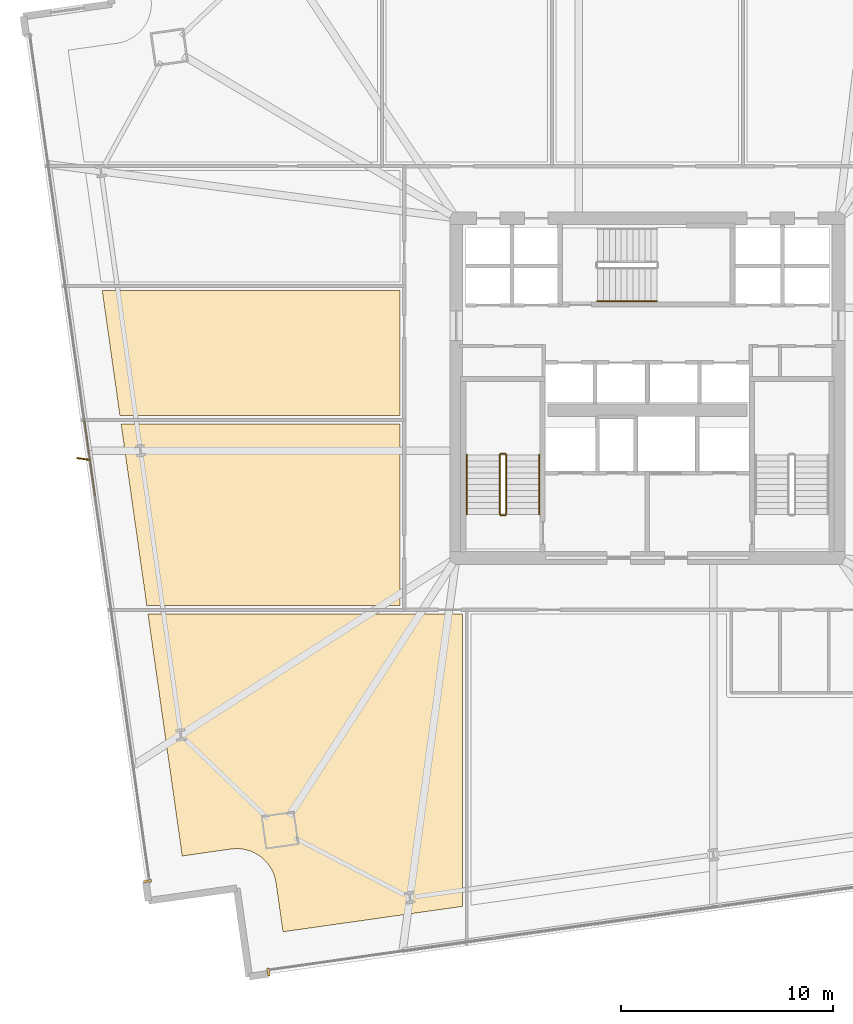
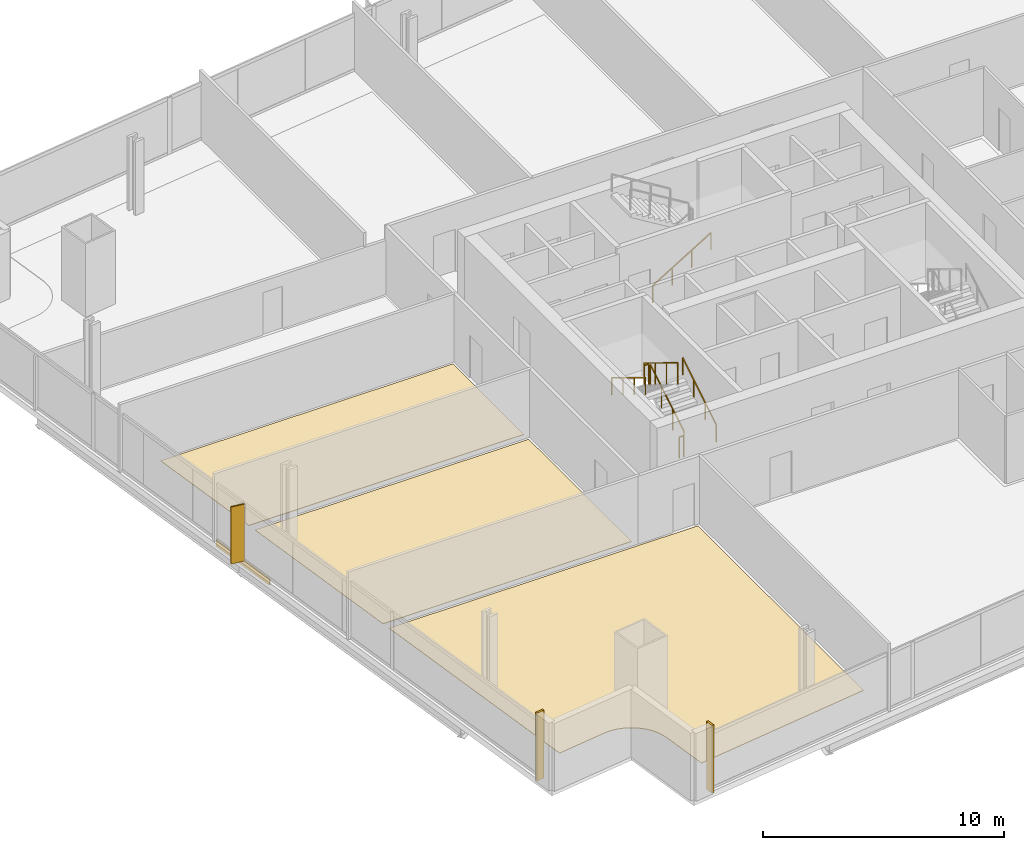
# One storey, part 29 of 33: 7 railings, 6 coverings, 1 shading device.
"""IFC4 building model written with IfcOpenShell, lengths in metres."""

from ifc_helpers import new_model, si_unit, direction, frame, origin, origin_2d, place, context, subcontext, project, spatial, polyline, rectangle, outline, extrude, source, transform, mapped, material, layer, layer_set, type_object, element, save


model = new_model("IFC4")

# Units and contexts
model_context = context("Model", 3, precision=1e-05, world=origin(), true_north=direction((0.0, 1.0)))
body_context = subcontext(model_context, "Body", "Model", "MODEL_VIEW")
ifc_project = project(units=[si_unit("LENGTHUNIT", "METRE"), si_unit("AREAUNIT", "SQUARE_METRE"), si_unit("VOLUMEUNIT", "CUBIC_METRE"), si_unit("PLANEANGLEUNIT", "RADIAN"), si_unit("MASSUNIT", "GRAM", prefix="KILO")], contexts=[model_context])

# Site, building, storey
site_placement = place(None, origin())
site = spatial("IfcSite", under=ifc_project, at=site_placement, CompositionType="ELEMENT")
building_placement = place(site_placement, origin())
building = spatial("IfcBuilding", under=site, at=building_placement, Name="Haldenkirk Collegiate Tower", CompositionType="ELEMENT")
storey_placement = place(building_placement, frame((0.0, 0.0, 55.199951171875)))
storey = spatial("IfcBuildingStorey", under=building, at=storey_placement, Name="L12", CompositionType="ELEMENT", Elevation=55.199951171875)

# Coverings
ifc_material_1 = material(Name="Polished collegiate terrazzo", Category="concrete")
ifc_layer_1 = layer(ifc_material_1, 0.02490234375)
ifc_layer_set_1 = layer_set([ifc_layer_1], Name="Polished collegiate terrazzo")
covering_type_1 = type_object("IfcCoveringType", Name="COV-FLOOR-TERRAZZO", PredefinedType="FLOORING", material=ifc_layer_set_1)
covering_1_placement = place(storey_placement, origin())
element("IfcCovering", 1, at=covering_1_placement, inside=storey, type_object=covering_type_1, Name="L12 academic room finish 02", PredefinedType="FLOORING", context=body_context, shape_type="SweptSolid", body=[
    extrude(outline(polyline([(18.17236328125, 3.533203125), (18.165283203125, 3.542724609375), (18.057373046875, 3.67626953125), (18.049560546875, 3.68505859375), (17.928955078125, 3.807373046875), (17.920166015625, 3.8154296875), (17.7880859375, 3.92529296875), (17.77880859375, 3.93212890625), (17.63671875, 4.028564453125), (17.626708984375, 4.03466796875), (17.4755859375, 4.11669921875), (17.465087890625, 4.121826171875), (17.306884765625, 4.188720703125), (17.2958984375, 4.192626953125), (17.1318359375, 4.24365234375), (17.120361328125, 4.24658203125), (16.9521484375, 4.28125), (16.940673828125, 4.282958984375), (16.769775390625, 4.301025390625), (16.758056640625, 4.3017578125), (16.586181640625, 4.302734375), (16.574462890625, 4.30224609375), (16.403564453125, 4.28662109375), (16.397705078125, 4.285888671875), (14.090576171875, 3.959716796875), (12.479736328125, 15.35009765625), (27.300048828125, 15.35009765625), (27.300048828125, 1.586181640625), (18.83740234375, 0.38916015625), (18.510986328125, 2.6962890625), (18.510009765625, 2.701904296875), (18.477783203125, 2.87060546875), (18.47509765625, 2.882080078125), (18.42626953125, 3.046875), (18.42236328125, 3.05810546875), (18.357666015625, 3.217041015625), (18.352783203125, 3.227783203125), (18.272705078125, 3.379638671875), (18.266845703125, 3.389892578125), (18.17236328125, 3.533203125)])), origin(), (0.0, 0.0, 1.0), 0.025146484375),
])
covering_2_placement = place(storey_placement, origin())
element("IfcCovering", 2, at=covering_2_placement, inside=storey, type_object=covering_type_1, Name="L12 academic room finish 10", PredefinedType="FLOORING", context=body_context, shape_type="SweptSolid", body=[
    extrude(outline(polyline([(10.32275390625, 30.60009765625), (24.35009765625, 30.60009765625), (24.35009765625, 24.699951171875), (11.1572265625, 24.699951171875), (10.32275390625, 30.60009765625)])), origin(), (0.0, 0.0, 1.0), 0.025146484375),
])
ifc_material_2 = material(Name="Engineered collegiate oak acoustic flooring", Category="wood")
ifc_layer_2 = layer(ifc_material_2, 0.02197265625)
ifc_layer_set_2 = layer_set([ifc_layer_2], Name="Engineered collegiate oak acoustic flooring")
covering_type_2 = type_object("IfcCoveringType", Name="COV-FLOOR-TIMBER", PredefinedType="FLOORING", material=ifc_layer_set_2)
covering_3_placement = place(storey_placement, origin())
element("IfcCovering", 3, at=covering_3_placement, inside=storey, type_object=covering_type_2, Name="L12 academic room finish 09", PredefinedType="FLOORING", context=body_context, shape_type="SweptSolid", body=[
    extrude(outline(polyline([(11.2138671875, 24.300048828125), (24.35009765625, 24.300048828125), (24.35009765625, 15.75), (12.423095703125, 15.75), (11.2138671875, 24.300048828125)])), origin(), (0.0, 0.0, 1.0), 0.02197265625),
])

# Railings
ifc_material_3 = material(Name="Painted architectural tubular steel", Category="steel")
railing_type_1 = type_object("IfcRailingType", Name="RLG-STAIR-GUARD-1100", PredefinedType="BALUSTRADE", material=ifc_material_3)
railing_1_placement = place(storey_placement, frame((29.35009765625, 20.050048828125, 0.17041015625)))
element("IfcRailing", 4, at=railing_1_placement, inside=storey, type_object=railing_type_1, Name="L12 ST-1 stair guard 1", PredefinedType="BALUSTRADE", context=body_context, shape_type="SweptSolid", body=[
    extrude(rectangle(XDim=0.048095703125, YDim=0.048095703125, at=origin_2d()), frame((0.0, 0.0, 1.076171875), z_axis=(0.0, 0.854169791009, 0.51999420009), x_axis=(-1.0, 0.0, 0.0)), (0.0, 0.0, 1.0), 3.278076171875),
    extrude(rectangle(XDim=0.0419921875, YDim=0.0419921875, at=origin_2d()), origin(), (0.0, 0.0, 1.0), 1.052001953125),
    extrude(rectangle(XDim=0.0419921875, YDim=0.0419921875, at=origin_2d()), frame((0.0, 0.933349609375, 0.568115234375)), (0.0, 0.0, 1.0), 1.052001953125),
    extrude(rectangle(XDim=0.0419921875, YDim=0.0419921875, at=origin_2d()), frame((0.0, 1.86669921875, 1.136474609375)), (0.0, 0.0, 1.0), 1.052001953125),
    extrude(rectangle(XDim=0.0419921875, YDim=0.0419921875, at=origin_2d()), frame((0.0, 2.800048828125, 1.70458984375)), (0.0, 0.0, 1.0), 1.052001953125),
])
railing_2_placement = place(storey_placement, frame((29.300048828125, 22.89990234375, 1.875)))
element("IfcRailing", 5, at=railing_2_placement, inside=storey, type_object=railing_type_1, Name="L12 ST-1 stair guard 2", PredefinedType="BALUSTRADE", context=body_context, shape_type="SweptSolid", body=[
    extrude(rectangle(XDim=0.048095703125, YDim=0.048095703125, at=origin_2d()), frame((0.0, 0.0, 1.076171875), z_axis=(-1.0, 0.0, 0.0), x_axis=(0.0, -1.0, 0.0)), (0.0, 0.0, 1.0), 0.199951171875),
    extrude(rectangle(XDim=0.0419921875, YDim=0.0419921875, at=origin_2d()), origin(), (0.0, 0.0, 1.0), 1.052001953125),
    extrude(rectangle(XDim=0.0419921875, YDim=0.0419921875, at=origin_2d()), frame((-0.199951171875, 0.0, 0.0)), (0.0, 0.0, 1.0), 1.052001953125),
])
railing_3_placement = place(storey_placement, frame((29.050048828125, 22.85009765625, 2.04541015625)))
element("IfcRailing", 6, at=railing_3_placement, inside=storey, type_object=railing_type_1, Name="L12 ST-1 stair guard 3", PredefinedType="BALUSTRADE", context=body_context, shape_type="SweptSolid", body=[
    extrude(rectangle(XDim=0.048095703125, YDim=0.048095703125, at=origin_2d()), frame((0.0, 0.0, 1.076171875), z_axis=(0.0, -0.854169791009, 0.51999420009), x_axis=(1.0, 0.0, 0.0)), (0.0, 0.0, 1.0), 3.278076171875),
    extrude(rectangle(XDim=0.0419921875, YDim=0.0419921875, at=origin_2d()), origin(), (0.0, 0.0, 1.0), 1.052001953125),
    extrude(rectangle(XDim=0.0419921875, YDim=0.0419921875, at=origin_2d()), frame((0.0, -0.933349609375, 0.568115234375)), (0.0, 0.0, 1.0), 1.052001953125),
    extrude(rectangle(XDim=0.0419921875, YDim=0.0419921875, at=origin_2d()), frame((0.0, -1.86669921875, 1.136474609375)), (0.0, 0.0, 1.0), 1.052001953125),
    extrude(rectangle(XDim=0.0419921875, YDim=0.0419921875, at=origin_2d()), frame((0.0, -2.800048828125, 1.70458984375)), (0.0, 0.0, 1.0), 1.052001953125),
])
railing_4_placement = place(storey_placement, frame((29.300048828125, 20.0, 0.0)))
element("IfcRailing", 7, at=railing_4_placement, inside=storey, type_object=railing_type_1, Name="L12 ST-1 stair guard 4", PredefinedType="BALUSTRADE", context=body_context, shape_type="SweptSolid", body=[
    extrude(rectangle(XDim=0.048095703125, YDim=0.048095703125, at=origin_2d()), frame((0.0, 0.0, 1.076171875), z_axis=(-1.0, 0.0, 0.0), x_axis=(0.0, -1.0, 0.0)), (0.0, 0.0, 1.0), 0.199951171875),
    extrude(rectangle(XDim=0.0419921875, YDim=0.0419921875, at=origin_2d()), origin(), (0.0, 0.0, 1.0), 1.052001953125),
    extrude(rectangle(XDim=0.0419921875, YDim=0.0419921875, at=origin_2d()), frame((-0.199951171875, 0.0, 0.0)), (0.0, 0.0, 1.0), 1.052001953125),
])
railing_type_2 = type_object("IfcRailingType", Name="RLG-STAIR-HANDRAIL-900", PredefinedType="HANDRAIL", material=ifc_material_3)
railing_5_placement = place(storey_placement, frame((30.89990234375, 20.050048828125, 0.17041015625)))
element("IfcRailing", 8, at=railing_5_placement, inside=storey, type_object=railing_type_2, Name="L12 ST-1 stair handrail 1", PredefinedType="HANDRAIL", context=body_context, shape_type="SweptSolid", body=[
    extrude(rectangle(XDim=0.048095703125, YDim=0.048095703125, at=origin_2d()), frame((0.0, 0.0, 0.8759765625), z_axis=(0.0, 0.854169791009, 0.51999420009), x_axis=(-1.0, 0.0, 0.0)), (0.0, 0.0, 1.0), 3.278076171875),
    extrude(rectangle(XDim=0.0419921875, YDim=0.0419921875, at=origin_2d()), origin(), (0.0, 0.0, 1.0), 0.851806640625),
    extrude(rectangle(XDim=0.0419921875, YDim=0.0419921875, at=origin_2d()), frame((0.0, 0.933349609375, 0.568115234375)), (0.0, 0.0, 1.0), 0.851806640625),
    extrude(rectangle(XDim=0.0419921875, YDim=0.0419921875, at=origin_2d()), frame((0.0, 1.86669921875, 1.136474609375)), (0.0, 0.0, 1.0), 0.851806640625),
    extrude(rectangle(XDim=0.0419921875, YDim=0.0419921875, at=origin_2d()), frame((0.0, 2.800048828125, 1.70458984375)), (0.0, 0.0, 1.0), 0.851806640625),
])
railing_6_placement = place(storey_placement, frame((27.5, 22.85009765625, 2.04541015625)))
element("IfcRailing", 9, at=railing_6_placement, inside=storey, type_object=railing_type_2, Name="L12 ST-1 stair handrail 2", PredefinedType="HANDRAIL", context=body_context, shape_type="SweptSolid", body=[
    extrude(rectangle(XDim=0.048095703125, YDim=0.048095703125, at=origin_2d()), frame((0.0, 0.0, 0.8759765625), z_axis=(0.0, -0.854169791009, 0.51999420009), x_axis=(1.0, 0.0, 0.0)), (0.0, 0.0, 1.0), 3.278076171875),
    extrude(rectangle(XDim=0.0419921875, YDim=0.0419921875, at=origin_2d()), origin(), (0.0, 0.0, 1.0), 0.851806640625),
    extrude(rectangle(XDim=0.0419921875, YDim=0.0419921875, at=origin_2d()), frame((0.0, -0.933349609375, 0.568115234375)), (0.0, 0.0, 1.0), 0.851806640625),
    extrude(rectangle(XDim=0.0419921875, YDim=0.0419921875, at=origin_2d()), frame((0.0, -1.86669921875, 1.136474609375)), (0.0, 0.0, 1.0), 0.851806640625),
    extrude(rectangle(XDim=0.0419921875, YDim=0.0419921875, at=origin_2d()), frame((0.0, -2.800048828125, 1.70458984375)), (0.0, 0.0, 1.0), 0.851806640625),
])
railing_7_placement = place(storey_placement, frame((33.64990234375, 30.10009765625, 0.17041015625)))
element("IfcRailing", 10, at=railing_7_placement, inside=storey, type_object=railing_type_2, Name="L12 ST-3 stair handrail 1", PredefinedType="HANDRAIL", context=body_context, shape_type="SweptSolid", body=[
    extrude(rectangle(XDim=0.048095703125, YDim=0.048095703125, at=origin_2d()), frame((0.0, 0.0, 0.8759765625), z_axis=(0.854169791009, 0.0, 0.51999420009), x_axis=(0.0, 1.0, 0.0)), (0.0, 0.0, 1.0), 3.278076171875),
    extrude(rectangle(XDim=0.0419921875, YDim=0.0419921875, at=origin_2d()), origin(), (0.0, 0.0, 1.0), 0.851806640625),
    extrude(rectangle(XDim=0.0419921875, YDim=0.0419921875, at=origin_2d()), frame((0.933349609375, 0.0, 0.568115234375)), (0.0, 0.0, 1.0), 0.851806640625),
    extrude(rectangle(XDim=0.0419921875, YDim=0.0419921875, at=origin_2d()), frame((1.86669921875, 0.0, 1.136474609375)), (0.0, 0.0, 1.0), 0.851806640625),
    extrude(rectangle(XDim=0.0419921875, YDim=0.0419921875, at=origin_2d()), frame((2.800048828125, 0.0, 1.70458984375)), (0.0, 0.0, 1.0), 0.851806640625),
])

# Coverings
ifc_material_4 = material(Name="Anodised architectural bronze aluminium", Category="aluminium")
ifc_layer_3 = layer(ifc_material_4, 0.06005859375)
ifc_layer_set_3 = layer_set([ifc_layer_3], Name="Anodised architectural bronze aluminium")
covering_type_3 = type_object("IfcCoveringType", Name="COV-CLAD-BRONZE-60", PredefinedType="CLADDING", material=ifc_layer_set_3)
shared_shape_1 = source(origin(), body_context, "Body", "SweptSolid", [
    extrude(rectangle(XDim=3.60009765625, YDim=0.06005859375, at=origin_2d()), origin(), (0.0, 0.0, 1.0), 0.300048828125),
])
covering_4_placement = place(storey_placement, frame((9.733154296875, 22.70166015625, -0.2998046875), z_axis=(0.0, 0.0, 1.0), x_axis=(-0.140037219771, 0.990146240249, 0.0)))
element("IfcCovering", 11, at=covering_4_placement, inside=storey, type_object=covering_type_3, Name="L12 architectural bronze spandrel cladding W", PredefinedType="CLADDING", context=body_context, shape_type="MappedRepresentation", body=[
    mapped(shared_shape_1, transform((0.0, 0.0, 0.0), x_axis=(1.0, 0.0, 0.0), y_axis=(0.0, 1.0, 0.0), z_axis=(0.0, 0.0, 1.0), scale=1.0)),
])
shared_shape_2 = source(origin(), body_context, "Body", "SweptSolid", [
    extrude(rectangle(XDim=0.10009765625, YDim=0.3798828125, at=origin_2d()), origin(), (0.0, 0.0, 1.0), 3.43994140625),
])
for number, where, z_axis, x_axis, name in (
    (12, (18.15576171875, -1.5048828125, 0.0), (0.0, 0.0, 1.0), (-0.990146240249, -0.140037219771, 0.0), "L12 recessed curtain-wall bronze jamb closure SJR"),
    (13, (12.459716796875, 2.779541015625, 0.0), (0.0, 0.0, 1.0), (-0.140037219771, 0.990146240249, 0.0), "L12 recessed curtain-wall bronze jamb closure WJL"),
):
    element("IfcCovering", number, at=place(storey_placement, frame(where, z_axis=z_axis, x_axis=x_axis)), inside=storey, type_object=covering_type_3, Name=name, PredefinedType="CLADDING", context=body_context, shape_type="MappedRepresentation", body=[
        mapped(shared_shape_2, transform((0.0, 0.0, 0.0), x_axis=(1.0, 0.0, 0.0), y_axis=(0.0, 1.0, 0.0), z_axis=(0.0, 0.0, 1.0), scale=1.0)),
    ])

# Shading device
ifc_layer_4 = layer(ifc_material_4, 0.06494140625)
ifc_layer_set_4 = layer_set([ifc_layer_4], Name="Anodised architectural bronze aluminium")
shading_device_type = type_object("IfcShadingDeviceType", Name="SHD-FIN-BRONZE-620", PredefinedType="USERDEFINED", material=ifc_layer_set_4)
shared_shape_3 = source(origin(), body_context, "Body", "SweptSolid", [
    extrude(rectangle(XDim=0.6201171875, YDim=0.06494140625, at=origin_2d()), origin(), (0.0, 0.0, 1.0), 2.89111328125),
])
shading_device_placement = place(storey_placement, frame((9.44091796875, 22.660400390625, 0.0), z_axis=(0.0, 0.0, 1.0), x_axis=(-0.990389143102, 0.138308876163, 0.0)))
element("IfcShadingDevice", 14, at=shading_device_placement, inside=storey, type_object=shading_device_type, Name="L12 folded bronze solar fin 1", ObjectType="FIN", PredefinedType="USERDEFINED", context=body_context, shape_type="MappedRepresentation", body=[
    mapped(shared_shape_3, transform((0.0, 0.0, 0.0), x_axis=(1.0, 0.0, 0.0), y_axis=(0.0, 1.0, 0.0), z_axis=(0.0, 0.0, 1.0), scale=1.0)),
])

save(model, "model.ifc")
